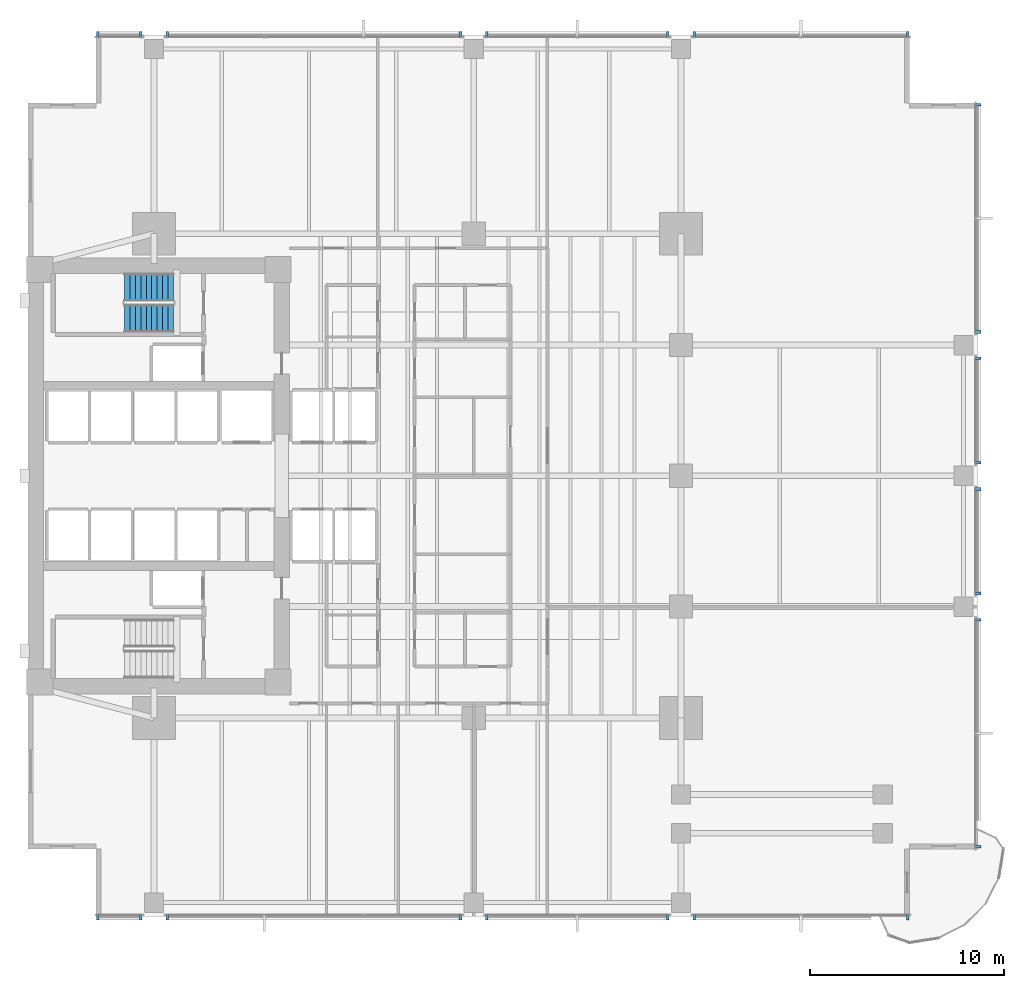
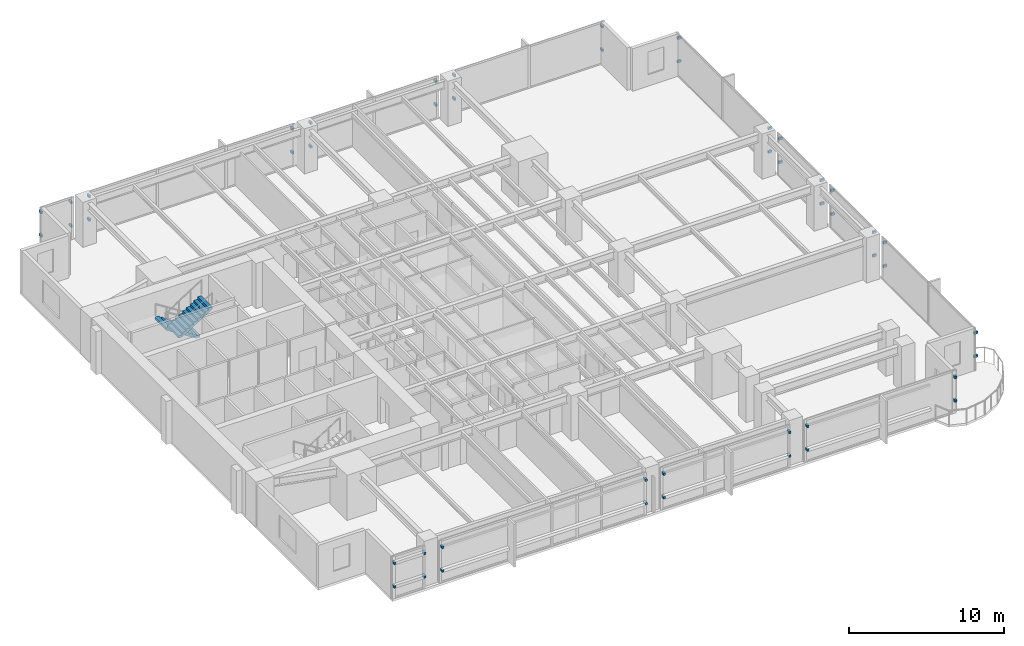
# One storey, part 11 of 15: 48 discrete accessories, 2 stair flights, 1 element without a shape of its own.
"""IFC4 building model written with IfcOpenShell, lengths in metres."""

from ifc_helpers import new_model, si_unit, direction, frame, origin, origin_2d, place, context, subcontext, project, spatial, polyline, rectangle, outline, extrude, material, type_object, element, aggregate, save


model = new_model("IFC4")

# Units and contexts
model_context = context("Model", 3, precision=1e-05, world=origin(), true_north=direction((0.0, 1.0)))
body_context = subcontext(model_context, "Body", "Model", "MODEL_VIEW")
ifc_project = project(units=[si_unit("LENGTHUNIT", "METRE"), si_unit("AREAUNIT", "SQUARE_METRE"), si_unit("VOLUMEUNIT", "CUBIC_METRE"), si_unit("PLANEANGLEUNIT", "RADIAN"), si_unit("MASSUNIT", "GRAM", prefix="KILO")], contexts=[model_context])

# Site, building, storey
site_placement = place(None, origin())
site = spatial("IfcSite", under=ifc_project, at=site_placement, CompositionType="ELEMENT")
building_placement = place(site_placement, origin())
building = spatial("IfcBuilding", under=site, at=building_placement, Name="Kinhvarn Gate Tower", CompositionType="ELEMENT")
storey_placement = place(building_placement, frame((0.0, 0.0, 89.5)))
storey = spatial("IfcBuildingStorey", under=building, at=storey_placement, Name="L23", CompositionType="ELEMENT", Elevation=89.5)

# Stair, stair flights
ifc_material_1 = material(Name="Concrete C40/50", Category="concrete")
stair_type = type_object("IfcStairType", Name="STR-DLG-177", PredefinedType="HALF_TURN_STAIR", material=ifc_material_1)
stair_placement = place(storey_placement, origin())
stair = element("IfcStair", 1, at=stair_placement, inside=storey, type_object=stair_type, Name="L23 Core Smokeproof Exit Stair ST2", PredefinedType="HALF_TURN_STAIR")
stair_flight_type = type_object("IfcStairFlightType", Name="STF-DLG-177", PredefinedType="STRAIGHT", material=ifc_material_1)
stair_flight_1_placement = place(storey_placement, frame((12.0, 34.97509765625, 0.0), z_axis=(0.0, 0.0, 1.0), x_axis=(-1.0, 0.0, 0.0)))
stair_flight_1 = element("IfcStairFlight", 2, at=stair_flight_1_placement, type_object=stair_flight_type, Name="ST2 flight 1", NumberOfRisers=10, NumberOfTreads=9, PredefinedType="STRAIGHT", RiserHeight=0.1775, TreadLength=0.28, context=body_context, shape_type="SweptSolid", body=[
    extrude(outline(polyline([(0.0, 0.0), (0.0, 0.177490234375), (0.280029296875, 0.177490234375), (0.280029296875, 0.35498046875), (0.56005859375, 0.35498046875), (0.56005859375, 0.532470703125), (0.840087890625, 0.532470703125), (0.840087890625, 0.7099609375), (1.1201171875, 0.7099609375), (1.1201171875, 0.887451171875), (1.39990234375, 0.887451171875), (1.39990234375, 1.06494140625), (1.679931640625, 1.06494140625), (1.679931640625, 1.242431640625), (1.9599609375, 1.242431640625), (1.9599609375, 1.419921875), (2.239990234375, 1.419921875), (2.239990234375, 1.597412109375), (2.52001953125, 1.597412109375), (2.52001953125, 1.77490234375), (2.52001953125, 1.419921875), (0.280029296875, 0.0), (0.0, 0.0)])), frame((0.0, 0.72509765625, 0.0), z_axis=(0.0, -1.0, 0.0), x_axis=(1.0, 0.0, 0.0)), (0.0, 0.0, 1.0), 1.449951171875),
])
stair_flight_2_placement = place(storey_placement, frame((9.47998046875, 33.375, 1.77490234375), z_axis=(0.0, 0.0, 1.0), x_axis=(1.0, 0.0, 0.0)))
stair_flight_2 = element("IfcStairFlight", 3, at=stair_flight_2_placement, type_object=stair_flight_type, Name="ST2 flight 2", NumberOfRisers=10, NumberOfTreads=9, PredefinedType="STRAIGHT", RiserHeight=0.1775, TreadLength=0.28, context=body_context, shape_type="SweptSolid", body=[
    extrude(outline(polyline([(0.0, 0.0), (0.0, 0.177490234375), (0.280029296875, 0.177490234375), (0.280029296875, 0.35498046875), (0.56005859375, 0.35498046875), (0.56005859375, 0.532470703125), (0.840087890625, 0.532470703125), (0.840087890625, 0.7099609375), (1.1201171875, 0.7099609375), (1.1201171875, 0.887451171875), (1.39990234375, 0.887451171875), (1.39990234375, 1.06494140625), (1.679931640625, 1.06494140625), (1.679931640625, 1.242431640625), (1.9599609375, 1.242431640625), (1.9599609375, 1.419921875), (2.239990234375, 1.419921875), (2.239990234375, 1.597412109375), (2.52001953125, 1.597412109375), (2.52001953125, 1.77490234375), (2.52001953125, 1.419921875), (0.280029296875, 0.0), (0.0, 0.0)])), frame((0.0, 0.72509765625, 0.0), z_axis=(0.0, -1.0, 0.0), x_axis=(1.0, 0.0, 0.0)), (0.0, 0.0, 1.0), 1.449951171875),
])
aggregate(stair, [stair_flight_1, stair_flight_2])

# Discrete accessories
ifc_material_2 = material(Name="Anodised aluminium AW-6063", Category="aluminium")
discrete_accessory_type = type_object("IfcDiscreteAccessoryType", Name="ACC-BRK-01", PredefinedType="BRACKET", material=ifc_material_2)
for number, where, z_axis, x_axis, name in (
    (4, (8.10009765625, 2.4599609375, 0.9599609375), (0.0, 0.0, 1.0), (1.0, 0.0, 0.0), "Baguette Support Bracket BK-01 (L23)"),
    (5, (8.10009765625, 2.4599609375, 2.81005859375), (0.0, 0.0, 1.0), (1.0, 0.0, 0.0), "Baguette Support Bracket BK-01 (L23)"),
    (6, (10.320068359375, 2.4599609375, 0.9599609375), (0.0, 0.0, 1.0), (1.0, 0.0, 0.0), "Baguette Support Bracket BK-01 (L23)"),
    (7, (10.320068359375, 2.4599609375, 2.81005859375), (0.0, 0.0, 1.0), (1.0, 0.0, 0.0), "Baguette Support Bracket BK-01 (L23)"),
    (8, (11.679931640625, 2.4599609375, 0.9599609375), (0.0, 0.0, 1.0), (1.0, 0.0, 0.0), "Baguette Support Bracket BK-01 (L23)"),
    (9, (11.679931640625, 2.4599609375, 2.81005859375), (0.0, 0.0, 1.0), (1.0, 0.0, 0.0), "Baguette Support Bracket BK-01 (L23)"),
    (10, (26.820068359375, 2.4599609375, 0.9599609375), (0.0, 0.0, 1.0), (1.0, 0.0, 0.0), "Baguette Support Bracket BK-01 (L23)"),
    (11, (26.820068359375, 2.4599609375, 2.81005859375), (0.0, 0.0, 1.0), (1.0, 0.0, 0.0), "Baguette Support Bracket BK-01 (L23)"),
    (12, (28.179931640625, 2.4599609375, 0.9599609375), (0.0, 0.0, 1.0), (1.0, 0.0, 0.0), "Baguette Support Bracket BK-01 (L23)"),
    (13, (28.179931640625, 2.4599609375, 2.81005859375), (0.0, 0.0, 1.0), (1.0, 0.0, 0.0), "Baguette Support Bracket BK-01 (L23)"),
    (14, (37.52001953125, 2.4599609375, 0.9599609375), (0.0, 0.0, 1.0), (1.0, 0.0, 0.0), "Baguette Support Bracket BK-01 (L23)"),
    (15, (37.52001953125, 2.4599609375, 2.81005859375), (0.0, 0.0, 1.0), (1.0, 0.0, 0.0), "Baguette Support Bracket BK-01 (L23)"),
    (16, (38.8798828125, 2.4599609375, 0.9599609375), (0.0, 0.0, 1.0), (1.0, 0.0, 0.0), "Baguette Support Bracket BK-01 (L23)"),
    (17, (38.8798828125, 2.4599609375, 2.81005859375), (0.0, 0.0, 1.0), (1.0, 0.0, 0.0), "Baguette Support Bracket BK-01 (L23)"),
    (18, (49.89990234375, 2.4599609375, 0.9599609375), (0.0, 0.0, 1.0), (1.0, 0.0, 0.0), "Baguette Support Bracket BK-01 (L23)"),
    (19, (49.89990234375, 2.4599609375, 2.81005859375), (0.0, 0.0, 1.0), (1.0, 0.0, 0.0), "Baguette Support Bracket BK-01 (L23)"),
    (20, (49.89990234375, 48.0400390625, 0.9599609375), (0.0, 0.0, 1.0), (-1.0, 0.0, 0.0), "Baguette Support Bracket BK-01 (L23)"),
    (21, (49.89990234375, 48.0400390625, 2.81005859375), (0.0, 0.0, 1.0), (-1.0, 0.0, 0.0), "Baguette Support Bracket BK-01 (L23)"),
    (22, (38.8798828125, 48.0400390625, 0.9599609375), (0.0, 0.0, 1.0), (-1.0, 0.0, 0.0), "Baguette Support Bracket BK-01 (L23)"),
    (23, (38.8798828125, 48.0400390625, 2.81005859375), (0.0, 0.0, 1.0), (-1.0, 0.0, 0.0), "Baguette Support Bracket BK-01 (L23)"),
    (24, (37.52001953125, 48.0400390625, 0.9599609375), (0.0, 0.0, 1.0), (-1.0, 0.0, 0.0), "Baguette Support Bracket BK-01 (L23)"),
    (25, (37.52001953125, 48.0400390625, 2.81005859375), (0.0, 0.0, 1.0), (-1.0, 0.0, 0.0), "Baguette Support Bracket BK-01 (L23)"),
    (26, (28.179931640625, 48.0400390625, 0.9599609375), (0.0, 0.0, 1.0), (-1.0, 0.0, 0.0), "Baguette Support Bracket BK-01 (L23)"),
    (27, (28.179931640625, 48.0400390625, 2.81005859375), (0.0, 0.0, 1.0), (-1.0, 0.0, 0.0), "Baguette Support Bracket BK-01 (L23)"),
    (28, (26.820068359375, 48.0400390625, 0.9599609375), (0.0, 0.0, 1.0), (-1.0, 0.0, 0.0), "Baguette Support Bracket BK-01 (L23)"),
    (29, (26.820068359375, 48.0400390625, 2.81005859375), (0.0, 0.0, 1.0), (-1.0, 0.0, 0.0), "Baguette Support Bracket BK-01 (L23)"),
    (30, (11.679931640625, 48.0400390625, 0.9599609375), (0.0, 0.0, 1.0), (-1.0, 0.0, 0.0), "Baguette Support Bracket BK-01 (L23)"),
    (31, (11.679931640625, 48.0400390625, 2.81005859375), (0.0, 0.0, 1.0), (-1.0, 0.0, 0.0), "Baguette Support Bracket BK-01 (L23)"),
    (32, (10.320068359375, 48.0400390625, 0.9599609375), (0.0, 0.0, 1.0), (-1.0, 0.0, 0.0), "Baguette Support Bracket BK-01 (L23)"),
    (33, (10.320068359375, 48.0400390625, 2.81005859375), (0.0, 0.0, 1.0), (-1.0, 0.0, 0.0), "Baguette Support Bracket BK-01 (L23)"),
    (34, (8.10009765625, 48.0400390625, 0.9599609375), (0.0, 0.0, 1.0), (-1.0, 0.0, 0.0), "Baguette Support Bracket BK-01 (L23)"),
    (35, (8.10009765625, 48.0400390625, 2.81005859375), (0.0, 0.0, 1.0), (-1.0, 0.0, 0.0), "Baguette Support Bracket BK-01 (L23)"),
    (36, (53.5400390625, 6.10009765625, 0.9599609375), (0.0, 0.0, 1.0), (0.0, 1.0, 0.0), "Baguette Support Bracket BK-01 (L23)"),
    (37, (53.5400390625, 6.10009765625, 2.81005859375), (0.0, 0.0, 1.0), (0.0, 1.0, 0.0), "Baguette Support Bracket BK-01 (L23)"),
    (38, (53.5400390625, 17.820068359375, 0.9599609375), (0.0, 0.0, 1.0), (0.0, 1.0, 0.0), "Baguette Support Bracket BK-01 (L23)"),
    (39, (53.5400390625, 17.820068359375, 2.81005859375), (0.0, 0.0, 1.0), (0.0, 1.0, 0.0), "Baguette Support Bracket BK-01 (L23)"),
    (40, (53.5400390625, 19.179931640625, 0.9599609375), (0.0, 0.0, 1.0), (0.0, 1.0, 0.0), "Baguette Support Bracket BK-01 (L23)"),
    (41, (53.5400390625, 19.179931640625, 2.81005859375), (0.0, 0.0, 1.0), (0.0, 1.0, 0.0), "Baguette Support Bracket BK-01 (L23)"),
    (42, (53.5400390625, 24.570068359375, 0.9599609375), (0.0, 0.0, 1.0), (0.0, 1.0, 0.0), "Baguette Support Bracket BK-01 (L23)"),
    (43, (53.5400390625, 24.570068359375, 2.81005859375), (0.0, 0.0, 1.0), (0.0, 1.0, 0.0), "Baguette Support Bracket BK-01 (L23)"),
    (44, (53.5400390625, 25.929931640625, 0.9599609375), (0.0, 0.0, 1.0), (0.0, 1.0, 0.0), "Baguette Support Bracket BK-01 (L23)"),
    (45, (53.5400390625, 25.929931640625, 2.81005859375), (0.0, 0.0, 1.0), (0.0, 1.0, 0.0), "Baguette Support Bracket BK-01 (L23)"),
    (46, (53.5400390625, 31.320068359375, 0.9599609375), (0.0, 0.0, 1.0), (0.0, 1.0, 0.0), "Baguette Support Bracket BK-01 (L23)"),
    (47, (53.5400390625, 31.320068359375, 2.81005859375), (0.0, 0.0, 1.0), (0.0, 1.0, 0.0), "Baguette Support Bracket BK-01 (L23)"),
    (48, (53.5400390625, 32.679931640625, 0.9599609375), (0.0, 0.0, 1.0), (0.0, 1.0, 0.0), "Baguette Support Bracket BK-01 (L23)"),
    (49, (53.5400390625, 32.679931640625, 2.81005859375), (0.0, 0.0, 1.0), (0.0, 1.0, 0.0), "Baguette Support Bracket BK-01 (L23)"),
    (50, (53.5400390625, 44.39990234375, 0.9599609375), (0.0, 0.0, 1.0), (0.0, 1.0, 0.0), "Baguette Support Bracket BK-01 (L23)"),
    (51, (53.5400390625, 44.39990234375, 2.81005859375), (0.0, 0.0, 1.0), (0.0, 1.0, 0.0), "Baguette Support Bracket BK-01 (L23)"),
):
    element("IfcDiscreteAccessory", number, at=place(storey_placement, frame(where, z_axis=z_axis, x_axis=x_axis)), inside=storey, type_object=discrete_accessory_type, Name=name, PredefinedType="BRACKET", context=body_context, shape_type="SweptSolid", body=[
        extrude(rectangle(XDim=0.139892578125, YDim=0.280029296875, at=origin_2d()), origin(), (0.0, 0.0, 1.0), 0.179931640625),
    ])

save(model, "model.ifc")
